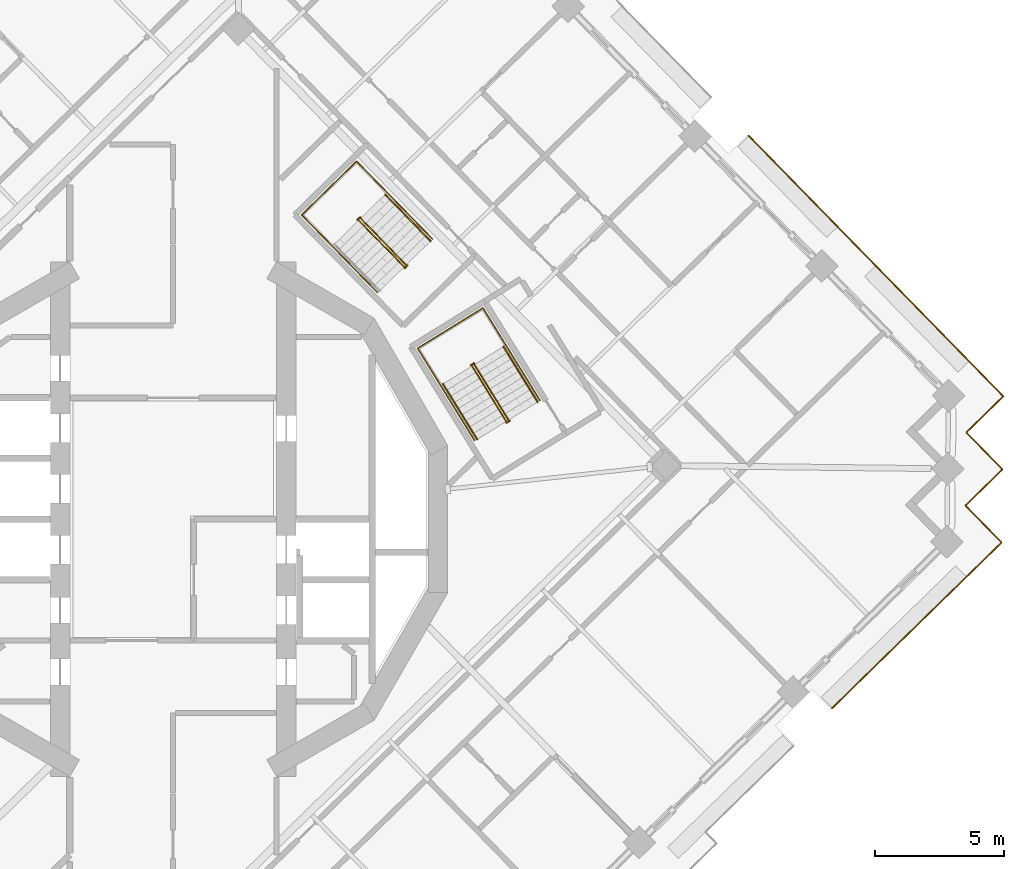
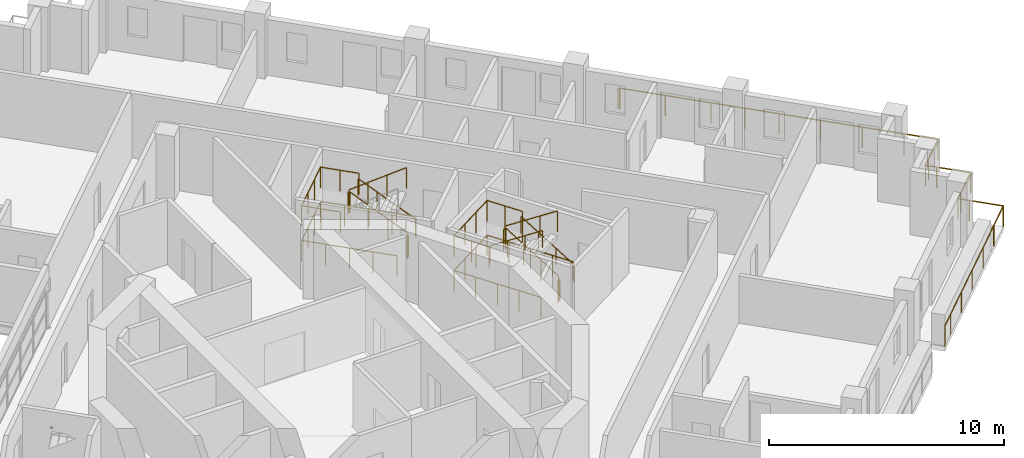
# One storey, part 19 of 21: 14 railings.
"""IFC4 building model written with IfcOpenShell, lengths in metres."""

from ifc_helpers import new_model, si_unit, direction, frame, origin, origin_2d, place, context, subcontext, project, spatial, circle, extrude, material, type_object, element, save


model = new_model("IFC4")

# Units and contexts
model_context = context("Model", 3, precision=1e-05, world=origin(), true_north=direction((0.0, 1.0)))
body_context = subcontext(model_context, "Body", "Model", "MODEL_VIEW")
ifc_project = project(units=[si_unit("LENGTHUNIT", "METRE"), si_unit("AREAUNIT", "SQUARE_METRE"), si_unit("VOLUMEUNIT", "CUBIC_METRE"), si_unit("PLANEANGLEUNIT", "RADIAN"), si_unit("MASSUNIT", "GRAM", prefix="KILO")], contexts=[model_context])

# Site, building, storey
site_placement = place(None, origin())
site = spatial("IfcSite", under=ifc_project, at=site_placement, CompositionType="ELEMENT")
building_placement = place(site_placement, origin())
building = spatial("IfcBuilding", under=site, at=building_placement, Name="Cantera Rosa Tower", CompositionType="ELEMENT")
storey_placement = place(building_placement, frame((0.0, 0.0, 230.60009765625)))
storey = spatial("IfcBuildingStorey", under=building, at=storey_placement, Name="L50", CompositionType="ELEMENT", Elevation=230.60009765625)

# Railings
ifc_material_1 = material(Name="Stainless steel and laminated glass", Category="steel")
railing_type_1 = type_object("IfcRailingType", Name="GUARD 1100", PredefinedType="BALUSTRADE", material=ifc_material_1)
railing_1_placement = place(storey_placement, frame((22.26416015625, 14.845703125, 0.0)))
element("IfcRailing", 1, at=railing_1_placement, inside=storey, type_object=railing_type_1, Name="GUARD L50-8", PredefinedType="BALUSTRADE", context=body_context, shape_type="SweptSolid", body=[
    extrude(circle(Radius=0.030029296875, at=origin_2d()), frame((0.0, 0.0, 1.070068359375), z_axis=(0.700106234421, -0.714038696798, 0.0), x_axis=(0.714038696798, 0.700106234421, 0.0)), (0.0, 0.0, 1.0), 0.070068359375),
    extrude(circle(Radius=0.030029296875, at=origin_2d()), frame((0.049072265625, -0.050048828125, 1.070068359375), z_axis=(0.698829866575, -0.715287926351, 0.0), x_axis=(0.715287926351, 0.698829866575, 0.0)), (0.0, 0.0, 1.0), 4.02001953125),
    extrude(circle(Radius=0.030029296875, at=origin_2d()), frame((2.8583984375, -2.925537109375, 1.070068359375), z_axis=(0.698839281014, -0.715278728407, 0.0), x_axis=(0.715278728407, 0.698839281014, 0.0)), (0.0, 0.0, 1.0), 3.0),
    extrude(circle(Radius=0.030029296875, at=origin_2d()), frame((4.954833984375, -5.0712890625, 1.070068359375), z_axis=(0.698810055914, -0.715307280652, 0.0), x_axis=(0.715307280652, 0.698810055914, 0.0)), (0.0, 0.0, 1.0), 5.52001953125),
    extrude(circle(Radius=0.030029296875, at=origin_2d()), frame((8.812255859375, -9.019775390625, 1.070068359375), z_axis=(0.698921594874, -0.71519829713, 0.0), x_axis=(0.71519829713, 0.698921594874, 0.0)), (0.0, 0.0, 1.0), 1.5),
    extrude(circle(Radius=0.030029296875, at=origin_2d()), frame((9.860595703125, -10.092529296875, 1.070068359375), z_axis=(-0.715277793538, -0.698840237873, 0.0), x_axis=(0.698840237873, -0.715277793538, 0.0)), (0.0, 0.0, 1.0), 1.5),
    extrude(circle(Radius=0.030029296875, at=origin_2d()), frame((8.78759765625, -11.140869140625, 1.070068359375), z_axis=(-0.715359149995, -0.698756958118, 0.0), x_axis=(0.698756958118, -0.715359149995, 0.0)), (0.0, 0.0, 1.0), 0.5),
    extrude(circle(Radius=0.030029296875, at=origin_2d()), frame((8.429931640625, -11.490234375, 1.070068359375), z_axis=(0.699006712162, -0.715115107065, 0.0), x_axis=(0.715115107065, 0.699006712162, 0.0)), (0.0, 0.0, 1.0), 0.500244140625),
    extrude(circle(Radius=0.030029296875, at=origin_2d()), frame((8.779541015625, -11.847900390625, 1.070068359375), z_axis=(0.698756958118, -0.715359149995, 0.0), x_axis=(0.715359149995, 0.698756958118, 0.0)), (0.0, 0.0, 1.0), 1.5),
    extrude(circle(Radius=0.030029296875, at=origin_2d()), frame((9.82763671875, -12.9208984375, 1.070068359375), z_axis=(-0.71519829713, -0.698921594874, 0.0), x_axis=(0.698921594874, -0.71519829713, 0.0)), (0.0, 0.0, 1.0), 1.5),
    extrude(circle(Radius=0.030029296875, at=origin_2d()), frame((8.7548828125, -13.96923828125, 1.070068359375), z_axis=(-0.715359149995, -0.698756958118, 0.0), x_axis=(0.698756958118, -0.715359149995, 0.0)), (0.0, 0.0, 1.0), 0.5),
    extrude(circle(Radius=0.030029296875, at=origin_2d()), frame((8.397216796875, -14.318603515625, 1.070068359375), z_axis=(0.698756958118, -0.715359149995, 0.0), x_axis=(0.715359149995, 0.698756958118, 0.0)), (0.0, 0.0, 1.0), 0.5),
    extrude(circle(Radius=0.030029296875, at=origin_2d()), frame((8.74658203125, -14.67626953125, 1.070068359375), z_axis=(0.698838323933, -0.71527966349, 0.0), x_axis=(0.71527966349, 0.698838323933, 0.0)), (0.0, 0.0, 1.0), 1.499755859375),
    extrude(circle(Radius=0.030029296875, at=origin_2d()), frame((9.794677734375, -15.7490234375, 1.070068359375), z_axis=(-0.71519829713, -0.698921594874, 0.0), x_axis=(0.698921594874, -0.71519829713, 0.0)), (0.0, 0.0, 1.0), 1.5),
    extrude(circle(Radius=0.030029296875, at=origin_2d()), frame((8.721923828125, -16.79736328125, 1.070068359375), z_axis=(-0.71527874674, -0.69883926225, 0.0), x_axis=(0.69883926225, -0.71527874674, 0.0)), (0.0, 0.0, 1.0), 6.816650390625),
    extrude(circle(Radius=0.030029296875, at=origin_2d()), frame((3.84619140625, -21.56103515625, 1.070068359375), z_axis=(0.668964731622, -0.743294146247, 0.0), x_axis=(0.743294146247, 0.668964731622, 0.0)), (0.0, 0.0, 1.0), 0.003173828125),
    extrude(circle(Radius=0.030029296875, at=origin_2d()), frame((3.848388671875, -21.5634765625, 1.070068359375), z_axis=(-0.715304688836, -0.698812708906, 0.0), x_axis=(0.698812708906, -0.715304688836, 0.0)), (0.0, 0.0, 1.0), 0.873291015625),
    extrude(circle(Radius=0.02490234375, at=origin_2d()), origin(), (0.0, 0.0, 1.0), 1.0400390625),
    extrude(circle(Radius=0.02490234375, at=origin_2d()), frame((0.049072265625, -0.050048828125, 0.0)), (0.0, 0.0, 1.0), 1.0400390625),
    extrude(circle(Radius=0.02490234375, at=origin_2d()), frame((1.45361328125, -1.48779296875, 0.0)), (0.0, 0.0, 1.0), 1.0400390625),
    extrude(circle(Radius=0.02490234375, at=origin_2d()), frame((2.8583984375, -2.925537109375, 0.0)), (0.0, 0.0, 1.0), 1.0400390625),
    extrude(circle(Radius=0.02490234375, at=origin_2d()), frame((3.90673828125, -3.99853515625, 0.0)), (0.0, 0.0, 1.0), 1.0400390625),
    extrude(circle(Radius=0.02490234375, at=origin_2d()), frame((4.954833984375, -5.0712890625, 0.0)), (0.0, 0.0, 1.0), 1.0400390625),
    extrude(circle(Radius=0.02490234375, at=origin_2d()), frame((6.24072265625, -6.387451171875, 0.0)), (0.0, 0.0, 1.0), 1.0400390625),
    extrude(circle(Radius=0.02490234375, at=origin_2d()), frame((7.5263671875, -7.70361328125, 0.0)), (0.0, 0.0, 1.0), 1.0400390625),
    extrude(circle(Radius=0.02490234375, at=origin_2d()), frame((8.812255859375, -9.019775390625, 0.0)), (0.0, 0.0, 1.0), 1.0400390625),
    extrude(circle(Radius=0.02490234375, at=origin_2d()), frame((9.860595703125, -10.092529296875, 0.0)), (0.0, 0.0, 1.0), 1.0400390625),
    extrude(circle(Radius=0.02490234375, at=origin_2d()), frame((8.78759765625, -11.140869140625, 0.0)), (0.0, 0.0, 1.0), 1.0400390625),
    extrude(circle(Radius=0.02490234375, at=origin_2d()), frame((8.429931640625, -11.490234375, 0.0)), (0.0, 0.0, 1.0), 1.0400390625),
    extrude(circle(Radius=0.02490234375, at=origin_2d()), frame((8.779541015625, -11.847900390625, 0.0)), (0.0, 0.0, 1.0), 1.0400390625),
    extrude(circle(Radius=0.02490234375, at=origin_2d()), frame((9.82763671875, -12.9208984375, 0.0)), (0.0, 0.0, 1.0), 1.0400390625),
    extrude(circle(Radius=0.02490234375, at=origin_2d()), frame((8.7548828125, -13.96923828125, 0.0)), (0.0, 0.0, 1.0), 1.0400390625),
    extrude(circle(Radius=0.02490234375, at=origin_2d()), frame((8.397216796875, -14.318603515625, 0.0)), (0.0, 0.0, 1.0), 1.0400390625),
    extrude(circle(Radius=0.02490234375, at=origin_2d()), frame((8.74658203125, -14.67626953125, 0.0)), (0.0, 0.0, 1.0), 1.0400390625),
    extrude(circle(Radius=0.02490234375, at=origin_2d()), frame((9.794677734375, -15.7490234375, 0.0)), (0.0, 0.0, 1.0), 1.0400390625),
    extrude(circle(Radius=0.02490234375, at=origin_2d()), frame((8.721923828125, -16.79736328125, 0.0)), (0.0, 0.0, 1.0), 1.0400390625),
    extrude(circle(Radius=0.02490234375, at=origin_2d()), frame((7.5029296875, -17.98828125, 0.0)), (0.0, 0.0, 1.0), 1.0400390625),
    extrude(circle(Radius=0.02490234375, at=origin_2d()), frame((6.2841796875, -19.17919921875, 0.0)), (0.0, 0.0, 1.0), 1.0400390625),
    extrude(circle(Radius=0.02490234375, at=origin_2d()), frame((5.065185546875, -20.3701171875, 0.0)), (0.0, 0.0, 1.0), 1.0400390625),
    extrude(circle(Radius=0.02490234375, at=origin_2d()), frame((3.84619140625, -21.56103515625, 0.0)), (0.0, 0.0, 1.0), 1.0400390625),
    extrude(circle(Radius=0.02490234375, at=origin_2d()), frame((3.848388671875, -21.5634765625, 0.0)), (0.0, 0.0, 1.0), 1.0400390625),
    extrude(circle(Radius=0.02490234375, at=origin_2d()), frame((3.2236328125, -22.173828125, 0.0)), (0.0, 0.0, 1.0), 1.0400390625),
])
ifc_material_2 = material(Name="Steel S355J2 (EN 10025-2)", Category="steel")
railing_type_2 = type_object("IfcRailingType", Name="STAIR GUARD 1100", PredefinedType="GUARDRAIL", material=ifc_material_2)
railing_2_placement = place(storey_placement, frame((12.9765625, 3.834228515625, 0.179931640625)))
element("IfcRailing", 2, at=railing_2_placement, inside=storey, type_object=railing_type_2, Name="L50 ST-41 stair guard 1", PredefinedType="GUARDRAIL", context=body_context, shape_type="SweptSolid", body=[
    extrude(circle(Radius=0.02392578125, at=origin_2d()), frame((0.0, 0.0, 1.076171875), z_axis=(-0.441562923896, 0.715970890813, 0.540747508315), x_axis=(-0.851145618652, -0.524929648476, 0.0)), (0.0, 0.0, 1.0), 2.99560546875),
    extrude(circle(Radius=0.02392578125, at=origin_2d()), frame((-1.32275390625, 2.144775390625, 2.69580078125), z_axis=(-0.073711968402, 0.997279572494, 0.0), x_axis=(-0.997279572494, -0.073711968402, 0.0)), (0.0, 0.0, 1.0), 0.056396484375),
    extrude(circle(Radius=0.02392578125, at=origin_2d()), frame((-1.326904296875, 2.200927734375, 2.69580078125), z_axis=(-0.851546489876, -0.524279100842, 0.0), x_axis=(0.524279100842, -0.851546489876, 0.0)), (0.0, 0.0, 1.0), 0.14990234375),
    extrude(circle(Radius=0.02099609375, at=origin_2d()), origin(), (0.0, 0.0, 1.0), 1.052001953125),
    extrude(circle(Radius=0.02099609375, at=origin_2d()), frame((-0.44091796875, 0.71484375, 0.5400390625)), (0.0, 0.0, 1.0), 1.052001953125),
    extrude(circle(Radius=0.02099609375, at=origin_2d()), frame((-0.8818359375, 1.429931640625, 1.079833984375)), (0.0, 0.0, 1.0), 1.052001953125),
    extrude(circle(Radius=0.02099609375, at=origin_2d()), frame((-1.32275390625, 2.144775390625, 1.619873046875)), (0.0, 0.0, 1.0), 1.052001953125),
    extrude(circle(Radius=0.02099609375, at=origin_2d()), frame((-1.326904296875, 2.200927734375, 1.619873046875)), (0.0, 0.0, 1.0), 1.052001953125),
    extrude(circle(Radius=0.02099609375, at=origin_2d()), frame((-1.45458984375, 2.122314453125, 1.619873046875)), (0.0, 0.0, 1.0), 1.052001953125),
])
railing_3_placement = place(storey_placement, frame((11.5703125, 5.927490234375, 1.97998046875)))
element("IfcRailing", 3, at=railing_3_placement, inside=storey, type_object=railing_type_2, Name="L50 ST-41 stair guard 2", PredefinedType="GUARDRAIL", context=body_context, shape_type="SweptSolid", body=[
    extrude(circle(Radius=0.02392578125, at=origin_2d()), frame((0.0, 0.0, 1.076171875), z_axis=(0.441628529057, -0.715945124149, 0.540728047664), x_axis=(0.851102330005, 0.524999832248, 0.0)), (0.0, 0.0, 1.0), 2.99560546875),
    extrude(circle(Radius=0.02099609375, at=origin_2d()), origin(), (0.0, 0.0, 1.0), 1.052001953125),
    extrude(circle(Radius=0.02099609375, at=origin_2d()), frame((0.44091796875, -0.71484375, 0.5400390625)), (0.0, 0.0, 1.0), 1.052001953125),
    extrude(circle(Radius=0.02099609375, at=origin_2d()), frame((0.882080078125, -1.429931640625, 1.079833984375)), (0.0, 0.0, 1.0), 1.052001953125),
    extrude(circle(Radius=0.02099609375, at=origin_2d()), frame((1.322998046875, -2.144775390625, 1.619873046875)), (0.0, 0.0, 1.0), 1.052001953125),
])
railing_4_placement = place(storey_placement, frame((13.025146484375, 3.80517578125, 0.0)))
element("IfcRailing", 4, at=railing_4_placement, inside=storey, type_object=railing_type_2, Name="L50 ST-41 stair guard 3", PredefinedType="GUARDRAIL", context=body_context, shape_type="SweptSolid", body=[
    extrude(circle(Radius=0.02392578125, at=origin_2d()), frame((0.0, 0.0, 1.076171875), z_axis=(-0.851546489876, -0.524279100842, 0.0), x_axis=(0.524279100842, -0.851546489876, 0.0)), (0.0, 0.0, 1.0), 0.14990234375),
    extrude(circle(Radius=0.02099609375, at=origin_2d()), origin(), (0.0, 0.0, 1.0), 1.052001953125),
    extrude(circle(Radius=0.02099609375, at=origin_2d()), frame((-0.127685546875, -0.07861328125, 0.0)), (0.0, 0.0, 1.0), 1.052001953125),
])
railing_5_placement = place(storey_placement, frame((14.192626953125, 4.59814453125, 0.0)))
element("IfcRailing", 5, at=railing_5_placement, inside=storey, type_object=railing_type_2, Name="L50 ST-41 stair guard 4", PredefinedType="GUARDRAIL", context=body_context, shape_type="SweptSolid", body=[
    extrude(circle(Radius=0.02392578125, at=origin_2d()), frame((0.0, 0.0, 1.076171875), z_axis=(-0.524976478809, 0.851116735059, 0.0), x_axis=(-0.851116735059, -0.524976478809, 0.0)), (0.0, 0.0, 1.0), 4.197998046875),
    extrude(circle(Radius=0.02392578125, at=origin_2d()), frame((-2.203857421875, 3.572998046875, 1.076171875), z_axis=(-0.851132917336, -0.524950242429, 0.0), x_axis=(0.524950242429, -0.851132917336, 0.0)), (0.0, 0.0, 1.0), 2.969970703125),
    extrude(circle(Radius=0.02392578125, at=origin_2d()), frame((-4.731689453125, 2.013916015625, 1.076171875), z_axis=(0.524976478809, -0.851116735059, 0.0), x_axis=(0.851116735059, 0.524976478809, 0.0)), (0.0, 0.0, 1.0), 4.197998046875),
    extrude(circle(Radius=0.02099609375, at=origin_2d()), origin(), (0.0, 0.0, 1.0), 1.052001953125),
    extrude(circle(Radius=0.02099609375, at=origin_2d()), frame((-0.551025390625, 0.893310546875, 0.0)), (0.0, 0.0, 1.0), 1.052001953125),
    extrude(circle(Radius=0.02099609375, at=origin_2d()), frame((-1.10205078125, 1.78662109375, 0.0)), (0.0, 0.0, 1.0), 1.052001953125),
    extrude(circle(Radius=0.02099609375, at=origin_2d()), frame((-1.65283203125, 2.6796875, 0.0)), (0.0, 0.0, 1.0), 1.052001953125),
    extrude(circle(Radius=0.02099609375, at=origin_2d()), frame((-2.203857421875, 3.572998046875, 0.0)), (0.0, 0.0, 1.0), 1.052001953125),
    extrude(circle(Radius=0.02099609375, at=origin_2d()), frame((-3.04638671875, 3.05322265625, 0.0)), (0.0, 0.0, 1.0), 1.052001953125),
    extrude(circle(Radius=0.02099609375, at=origin_2d()), frame((-3.88916015625, 2.53369140625, 0.0)), (0.0, 0.0, 1.0), 1.052001953125),
    extrude(circle(Radius=0.02099609375, at=origin_2d()), frame((-4.731689453125, 2.013916015625, 0.0)), (0.0, 0.0, 1.0), 1.052001953125),
    extrude(circle(Radius=0.02099609375, at=origin_2d()), frame((-4.1806640625, 1.12060546875, 0.0)), (0.0, 0.0, 1.0), 1.052001953125),
    extrude(circle(Radius=0.02099609375, at=origin_2d()), frame((-3.6298828125, 0.2275390625, 0.0)), (0.0, 0.0, 1.0), 1.052001953125),
    extrude(circle(Radius=0.02099609375, at=origin_2d()), frame((-3.078857421875, -0.665771484375, 0.0)), (0.0, 0.0, 1.0), 1.052001953125),
    extrude(circle(Radius=0.02099609375, at=origin_2d()), frame((-2.52783203125, -1.55908203125, 0.0)), (0.0, 0.0, 1.0), 1.052001953125),
])
railing_6_placement = place(storey_placement, frame((12.88232421875, 6.72265625, 1.7998046875)))
element("IfcRailing", 6, at=railing_6_placement, inside=storey, type_object=railing_type_2, Name="L50 ST-41 stair guard 5", PredefinedType="GUARDRAIL", context=body_context, shape_type="SweptSolid", body=[
    extrude(circle(Radius=0.02392578125, at=origin_2d()), frame((0.0, 0.0, 1.076171875), z_axis=(-0.525025534833, 0.851086474909, 0.0), x_axis=(-0.851086474909, -0.525025534833, 0.0)), (0.0, 0.0, 1.0), 1.701904296875),
    extrude(circle(Radius=0.02392578125, at=origin_2d()), frame((-0.8935546875, 1.448486328125, 1.076171875), z_axis=(-0.851132917336, -0.524950242429, 0.0), x_axis=(0.524950242429, -0.851132917336, 0.0)), (0.0, 0.0, 1.0), 2.969970703125),
    extrude(circle(Radius=0.02392578125, at=origin_2d()), frame((-3.42138671875, -0.110595703125, 1.076171875), z_axis=(0.524961441845, -0.851126009811, 0.0), x_axis=(0.851126009811, 0.524961441845, 0.0)), (0.0, 0.0, 1.0), 1.7021484375),
    extrude(circle(Radius=0.02099609375, at=origin_2d()), origin(), (0.0, 0.0, 1.0), 1.052001953125),
    extrude(circle(Radius=0.02099609375, at=origin_2d()), frame((-0.44677734375, 0.72412109375, 0.0)), (0.0, 0.0, 1.0), 1.052001953125),
    extrude(circle(Radius=0.02099609375, at=origin_2d()), frame((-0.8935546875, 1.448486328125, 0.0)), (0.0, 0.0, 1.0), 1.052001953125),
    extrude(circle(Radius=0.02099609375, at=origin_2d()), frame((-1.736083984375, 0.9287109375, 0.0)), (0.0, 0.0, 1.0), 1.052001953125),
    extrude(circle(Radius=0.02099609375, at=origin_2d()), frame((-2.578857421875, 0.4091796875, 0.0)), (0.0, 0.0, 1.0), 1.052001953125),
    extrude(circle(Radius=0.02099609375, at=origin_2d()), frame((-3.42138671875, -0.110595703125, 0.0)), (0.0, 0.0, 1.0), 1.052001953125),
    extrude(circle(Radius=0.02099609375, at=origin_2d()), frame((-2.974609375, -0.8349609375, 0.0)), (0.0, 0.0, 1.0), 1.052001953125),
    extrude(circle(Radius=0.02099609375, at=origin_2d()), frame((-2.52783203125, -1.559326171875, 0.0)), (0.0, 0.0, 1.0), 1.052001953125),
])
railing_7_placement = place(storey_placement, frame((9.013427734375, 9.832763671875, 0.179931640625)))
element("IfcRailing", 7, at=railing_7_placement, inside=storey, type_object=railing_type_2, Name="L50 ST-42 stair guard 1", PredefinedType="GUARDRAIL", context=body_context, shape_type="SweptSolid", body=[
    extrude(circle(Radius=0.02392578125, at=origin_2d()), frame((0.0, 0.0, 1.076171875), z_axis=(-0.587844099419, 0.60169873645, 0.540738333515), x_axis=(-0.715293958342, -0.698823692472, 0.0)), (0.0, 0.0, 1.0), 2.99560546875),
    extrude(circle(Radius=0.02392578125, at=origin_2d()), frame((-1.760986328125, 1.802490234375, 2.69580078125), z_axis=(-0.290127576896, 0.956987977523, 0.0), x_axis=(-0.956987977523, -0.290127576896, 0.0)), (0.0, 0.0, 1.0), 0.056396484375),
    extrude(circle(Radius=0.02392578125, at=origin_2d()), frame((-1.77734375, 1.8564453125, 2.69580078125), z_axis=(-0.71600013962, -0.69810013613, 0.0), x_axis=(0.69810013613, -0.71600013962, 0.0)), (0.0, 0.0, 1.0), 0.150146484375),
    extrude(circle(Radius=0.02099609375, at=origin_2d()), origin(), (0.0, 0.0, 1.0), 1.052001953125),
    extrude(circle(Radius=0.02099609375, at=origin_2d()), frame((-0.5869140625, 0.600830078125, 0.5400390625)), (0.0, 0.0, 1.0), 1.052001953125),
    extrude(circle(Radius=0.02099609375, at=origin_2d()), frame((-1.174072265625, 1.20166015625, 1.079833984375)), (0.0, 0.0, 1.0), 1.052001953125),
    extrude(circle(Radius=0.02099609375, at=origin_2d()), frame((-1.760986328125, 1.802490234375, 1.619873046875)), (0.0, 0.0, 1.0), 1.052001953125),
    extrude(circle(Radius=0.02099609375, at=origin_2d()), frame((-1.77734375, 1.8564453125, 1.619873046875)), (0.0, 0.0, 1.0), 1.052001953125),
    extrude(circle(Radius=0.02099609375, at=origin_2d()), frame((-1.884765625, 1.751708984375, 1.619873046875)), (0.0, 0.0, 1.0), 1.052001953125),
])
railing_8_placement = place(storey_placement, frame((7.182373046875, 11.56689453125, 1.97998046875)))
element("IfcRailing", 8, at=railing_8_placement, inside=storey, type_object=railing_type_2, Name="L50 ST-42 stair guard 2", PredefinedType="GUARDRAIL", context=body_context, shape_type="SweptSolid", body=[
    extrude(circle(Radius=0.02392578125, at=origin_2d()), frame((0.0, 0.0, 1.076171875), z_axis=(0.587844099419, -0.60169873645, 0.540738333515), x_axis=(0.715293958342, 0.698823692472, 0.0)), (0.0, 0.0, 1.0), 2.99560546875),
    extrude(circle(Radius=0.02099609375, at=origin_2d()), origin(), (0.0, 0.0, 1.0), 1.052001953125),
    extrude(circle(Radius=0.02099609375, at=origin_2d()), frame((0.5869140625, -0.600830078125, 0.5400390625)), (0.0, 0.0, 1.0), 1.052001953125),
    extrude(circle(Radius=0.02099609375, at=origin_2d()), frame((1.174072265625, -1.20166015625, 1.079833984375)), (0.0, 0.0, 1.0), 1.052001953125),
    extrude(circle(Radius=0.02099609375, at=origin_2d()), frame((1.760986328125, -1.802490234375, 1.619873046875)), (0.0, 0.0, 1.0), 1.052001953125),
])
railing_9_placement = place(storey_placement, frame((9.06689453125, 9.815185546875, 0.0)))
element("IfcRailing", 9, at=railing_9_placement, inside=storey, type_object=railing_type_2, Name="L50 ST-42 stair guard 3", PredefinedType="GUARDRAIL", context=body_context, shape_type="SweptSolid", body=[
    extrude(circle(Radius=0.02392578125, at=origin_2d()), frame((0.0, 0.0, 1.076171875), z_axis=(-0.715205710557, -0.698914008722, 0.0), x_axis=(0.698914008722, -0.715205710557, 0.0)), (0.0, 0.0, 1.0), 0.14990234375),
    extrude(circle(Radius=0.02099609375, at=origin_2d()), origin(), (0.0, 0.0, 1.0), 1.052001953125),
    extrude(circle(Radius=0.02099609375, at=origin_2d()), frame((-0.107177734375, -0.104736328125, 0.0)), (0.0, 0.0, 1.0), 1.052001953125),
])
railing_10_placement = place(storey_placement, frame((10.0322265625, 10.844970703125, 0.0)))
element("IfcRailing", 10, at=railing_10_placement, inside=storey, type_object=railing_type_2, Name="L50 ST-42 stair guard 4", PredefinedType="GUARDRAIL", context=body_context, shape_type="SweptSolid", body=[
    extrude(circle(Radius=0.02392578125, at=origin_2d()), frame((0.0, 0.0, 1.076171875), z_axis=(-0.698859254364, 0.715259213566, 0.0), x_axis=(-0.715259213566, -0.698859254364, 0.0)), (0.0, 0.0, 1.0), 4.197998046875),
    extrude(circle(Radius=0.02392578125, at=origin_2d()), frame((-2.933837890625, 3.002685546875, 1.076171875), z_axis=(-0.715279654138, -0.698838333505, 0.0), x_axis=(0.698838333505, -0.715279654138, 0.0)), (0.0, 0.0, 1.0), 2.9697265625),
    extrude(circle(Radius=0.02392578125, at=origin_2d()), frame((-5.05810546875, 0.92724609375, 1.076171875), z_axis=(0.698829500247, -0.715288284249, 0.0), x_axis=(0.715288284249, 0.698829500247, 0.0)), (0.0, 0.0, 1.0), 4.19775390625),
    extrude(circle(Radius=0.02099609375, at=origin_2d()), origin(), (0.0, 0.0, 1.0), 1.052001953125),
    extrude(circle(Radius=0.02099609375, at=origin_2d()), frame((-0.7333984375, 0.750732421875, 0.0)), (0.0, 0.0, 1.0), 1.052001953125),
    extrude(circle(Radius=0.02099609375, at=origin_2d()), frame((-1.466796875, 1.50146484375, 0.0)), (0.0, 0.0, 1.0), 1.052001953125),
    extrude(circle(Radius=0.02099609375, at=origin_2d()), frame((-2.200439453125, 2.251953125, 0.0)), (0.0, 0.0, 1.0), 1.052001953125),
    extrude(circle(Radius=0.02099609375, at=origin_2d()), frame((-2.933837890625, 3.002685546875, 0.0)), (0.0, 0.0, 1.0), 1.052001953125),
    extrude(circle(Radius=0.02099609375, at=origin_2d()), frame((-3.641845703125, 2.310791015625, 0.0)), (0.0, 0.0, 1.0), 1.052001953125),
    extrude(circle(Radius=0.02099609375, at=origin_2d()), frame((-4.35009765625, 1.619140625, 0.0)), (0.0, 0.0, 1.0), 1.052001953125),
    extrude(circle(Radius=0.02099609375, at=origin_2d()), frame((-5.05810546875, 0.92724609375, 0.0)), (0.0, 0.0, 1.0), 1.052001953125),
    extrude(circle(Radius=0.02099609375, at=origin_2d()), frame((-4.32470703125, 0.176513671875, 0.0)), (0.0, 0.0, 1.0), 1.052001953125),
    extrude(circle(Radius=0.02099609375, at=origin_2d()), frame((-3.59130859375, -0.57421875, 0.0)), (0.0, 0.0, 1.0), 1.052001953125),
    extrude(circle(Radius=0.02099609375, at=origin_2d()), frame((-2.85791015625, -1.32470703125, 0.0)), (0.0, 0.0, 1.0), 1.052001953125),
    extrude(circle(Radius=0.02099609375, at=origin_2d()), frame((-2.12451171875, -2.075439453125, 0.0)), (0.0, 0.0, 1.0), 1.052001953125),
])
railing_11_placement = place(storey_placement, frame((8.287841796875, 12.63037109375, 1.7998046875)))
element("IfcRailing", 11, at=railing_11_placement, inside=storey, type_object=railing_type_2, Name="L50 ST-42 stair guard 5", PredefinedType="GUARDRAIL", context=body_context, shape_type="SweptSolid", body=[
    extrude(circle(Radius=0.02392578125, at=origin_2d()), frame((0.0, 0.0, 1.076171875), z_axis=(-0.698882919007, 0.715236090757, 0.0), x_axis=(-0.715236090757, -0.698882919007, 0.0)), (0.0, 0.0, 1.0), 1.701904296875),
    extrude(circle(Radius=0.02392578125, at=origin_2d()), frame((-1.189453125, 1.21728515625, 1.076171875), z_axis=(-0.715279654138, -0.698838333505, 0.0), x_axis=(0.698838333505, -0.715279654138, 0.0)), (0.0, 0.0, 1.0), 2.9697265625),
    extrude(circle(Radius=0.02392578125, at=origin_2d()), frame((-3.313720703125, -0.858154296875, 1.076171875), z_axis=(0.698811217595, -0.715306145761, 0.0), x_axis=(0.715306145761, 0.698811217595, 0.0)), (0.0, 0.0, 1.0), 1.7021484375),
    extrude(circle(Radius=0.02099609375, at=origin_2d()), origin(), (0.0, 0.0, 1.0), 1.052001953125),
    extrude(circle(Radius=0.02099609375, at=origin_2d()), frame((-0.5947265625, 0.608642578125, 0.0)), (0.0, 0.0, 1.0), 1.052001953125),
    extrude(circle(Radius=0.02099609375, at=origin_2d()), frame((-1.189453125, 1.21728515625, 0.0)), (0.0, 0.0, 1.0), 1.052001953125),
    extrude(circle(Radius=0.02099609375, at=origin_2d()), frame((-1.8974609375, 0.525390625, 0.0)), (0.0, 0.0, 1.0), 1.052001953125),
    extrude(circle(Radius=0.02099609375, at=origin_2d()), frame((-2.605712890625, -0.166259765625, 0.0)), (0.0, 0.0, 1.0), 1.052001953125),
    extrude(circle(Radius=0.02099609375, at=origin_2d()), frame((-3.313720703125, -0.858154296875, 0.0)), (0.0, 0.0, 1.0), 1.052001953125),
    extrude(circle(Radius=0.02099609375, at=origin_2d()), frame((-2.718994140625, -1.466796875, 0.0)), (0.0, 0.0, 1.0), 1.052001953125),
    extrude(circle(Radius=0.02099609375, at=origin_2d()), frame((-2.124267578125, -2.07568359375, 0.0)), (0.0, 0.0, 1.0), 1.052001953125),
])
ifc_material_3 = material(Name="Steel S355J2 (EN 10025-2)", Category="steel")
railing_type_3 = type_object("IfcRailingType", Name="STAIR HANDRAIL 900", PredefinedType="HANDRAIL", material=ifc_material_3)
railing_12_placement = place(storey_placement, frame((14.105224609375, 4.5302734375, 0.179931640625)))
element("IfcRailing", 12, at=railing_12_placement, inside=storey, type_object=railing_type_3, Name="L50 ST-41 stair handrail 1", PredefinedType="HANDRAIL", context=body_context, shape_type="SweptSolid", body=[
    extrude(circle(Radius=0.02392578125, at=origin_2d()), frame((0.0, 0.0, 0.8759765625), z_axis=(-0.441628529057, 0.715945124149, 0.540728047664), x_axis=(-0.851102330005, -0.524999832248, 0.0)), (0.0, 0.0, 1.0), 2.99560546875),
    extrude(circle(Radius=0.02099609375, at=origin_2d()), origin(), (0.0, 0.0, 1.0), 0.851806640625),
    extrude(circle(Radius=0.02099609375, at=origin_2d()), frame((-0.44091796875, 0.71484375, 0.5400390625)), (0.0, 0.0, 1.0), 0.851806640625),
    extrude(circle(Radius=0.02099609375, at=origin_2d()), frame((-0.882080078125, 1.429931640625, 1.079833984375)), (0.0, 0.0, 1.0), 0.851806640625),
    extrude(circle(Radius=0.02099609375, at=origin_2d()), frame((-1.322998046875, 2.144775390625, 1.619873046875)), (0.0, 0.0, 1.0), 0.851806640625),
])
railing_13_placement = place(storey_placement, frame((10.441650390625, 5.2314453125, 1.97998046875)))
element("IfcRailing", 13, at=railing_13_placement, inside=storey, type_object=railing_type_3, Name="L50 ST-41 stair handrail 2", PredefinedType="HANDRAIL", context=body_context, shape_type="SweptSolid", body=[
    extrude(circle(Radius=0.02392578125, at=origin_2d()), frame((0.0, 0.0, 0.8759765625), z_axis=(0.441628529057, -0.715945124149, 0.540728047664), x_axis=(0.851102330005, 0.524999832248, 0.0)), (0.0, 0.0, 1.0), 2.99560546875),
    extrude(circle(Radius=0.02099609375, at=origin_2d()), origin(), (0.0, 0.0, 1.0), 0.851806640625),
    extrude(circle(Radius=0.02099609375, at=origin_2d()), frame((0.44091796875, -0.71484375, 0.5400390625)), (0.0, 0.0, 1.0), 0.851806640625),
    extrude(circle(Radius=0.02099609375, at=origin_2d()), frame((0.882080078125, -1.429931640625, 1.079833984375)), (0.0, 0.0, 1.0), 0.851806640625),
    extrude(circle(Radius=0.02099609375, at=origin_2d()), frame((1.322998046875, -2.144775390625, 1.619873046875)), (0.0, 0.0, 1.0), 0.851806640625),
])
railing_14_placement = place(storey_placement, frame((9.9619140625, 10.759521484375, 0.179931640625)))
element("IfcRailing", 14, at=railing_14_placement, inside=storey, type_object=railing_type_3, Name="L50 ST-42 stair handrail 1", PredefinedType="HANDRAIL", context=body_context, shape_type="SweptSolid", body=[
    extrude(circle(Radius=0.02392578125, at=origin_2d()), frame((0.0, 0.0, 0.8759765625), z_axis=(-0.587844099419, 0.60169873645, 0.540738333515), x_axis=(-0.715293958342, -0.698823692472, 0.0)), (0.0, 0.0, 1.0), 2.99560546875),
    extrude(circle(Radius=0.02099609375, at=origin_2d()), origin(), (0.0, 0.0, 1.0), 0.851806640625),
    extrude(circle(Radius=0.02099609375, at=origin_2d()), frame((-0.5869140625, 0.600830078125, 0.5400390625)), (0.0, 0.0, 1.0), 0.851806640625),
    extrude(circle(Radius=0.02099609375, at=origin_2d()), frame((-1.174072265625, 1.20166015625, 1.079833984375)), (0.0, 0.0, 1.0), 0.851806640625),
    extrude(circle(Radius=0.02099609375, at=origin_2d()), frame((-1.760986328125, 1.802490234375, 1.619873046875)), (0.0, 0.0, 1.0), 0.851806640625),
])

save(model, "model.ifc")
